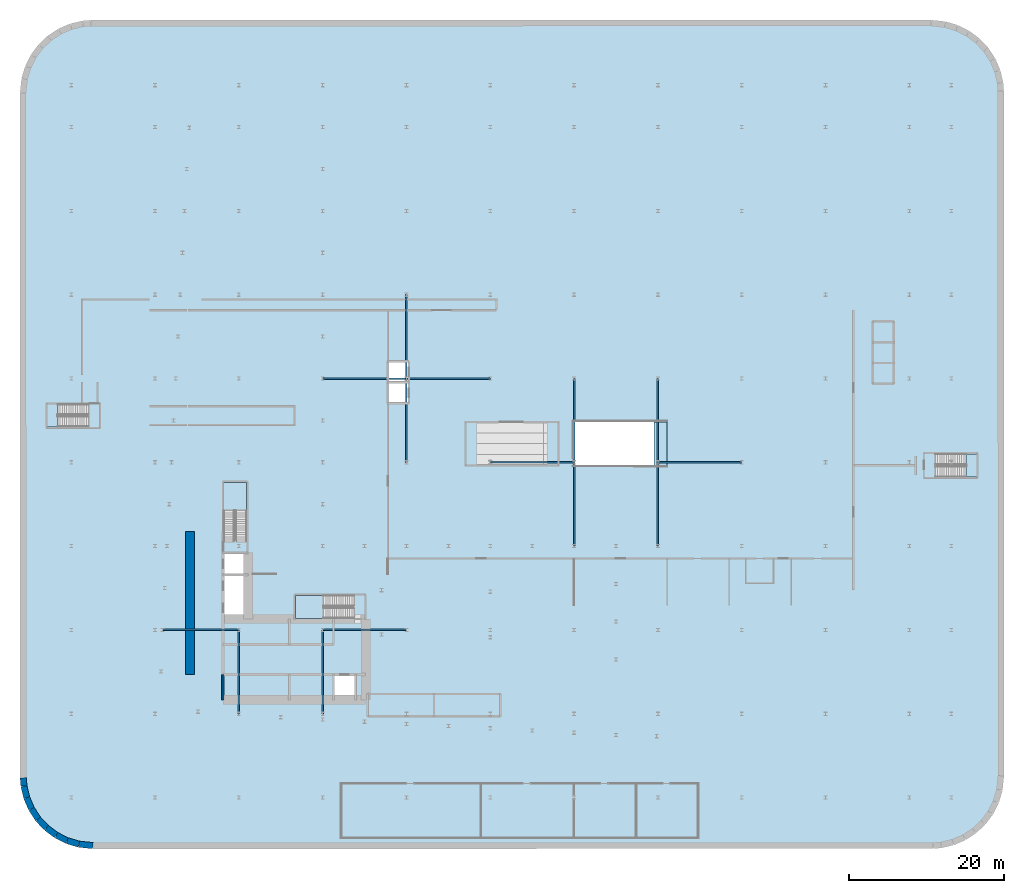
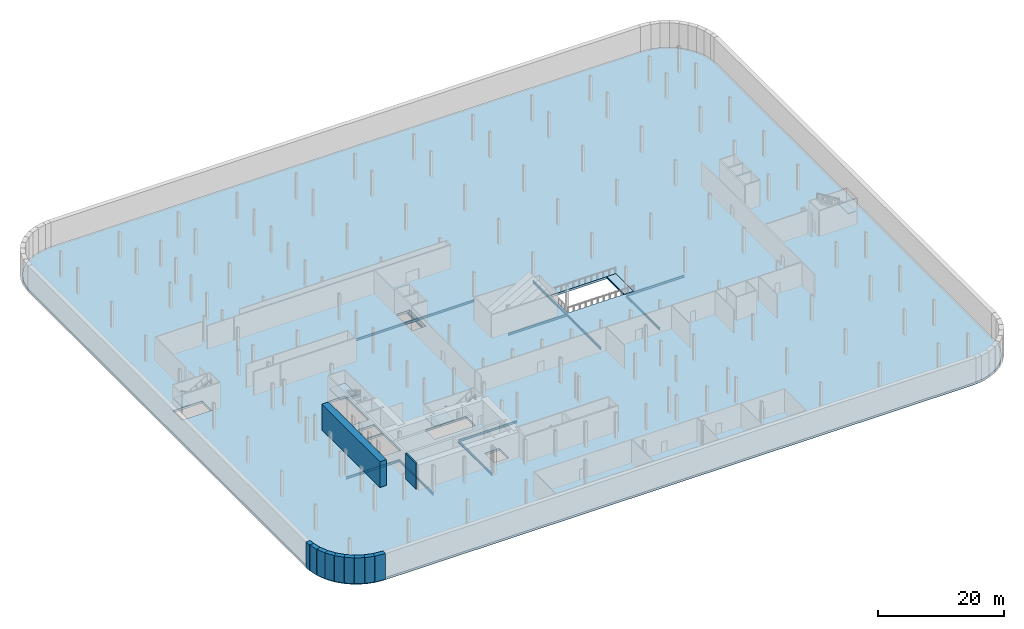
# One storey, part 5 of 19: 14 beams, 11 walls, 6 slabs, 4 elements without a shape of their own.
"""IFC4 building model written with IfcOpenShell, lengths in metres."""

from ifc_helpers import new_model, si_unit, direction, frame, frame_2d, origin, origin_2d, place, context, subcontext, project, spatial, polyline, rectangle, i_section, outline, extrude, material, layer, layer_set, material_profile, profile_set, type_object, element, aggregate, save


model = new_model("IFC4")

# Units and contexts
model_context = context("Model", 3, precision=1e-05, world=origin(), true_north=direction((0.0, 1.0)))
body_context = subcontext(model_context, "Body", "Model", "MODEL_VIEW")
ifc_project = project(units=[si_unit("LENGTHUNIT", "METRE"), si_unit("AREAUNIT", "SQUARE_METRE"), si_unit("VOLUMEUNIT", "CUBIC_METRE"), si_unit("PLANEANGLEUNIT", "RADIAN"), si_unit("MASSUNIT", "GRAM", prefix="KILO")], contexts=[model_context])

# Site, building, storey
site_placement = place(None, origin())
site = spatial("IfcSite", under=ifc_project, at=site_placement, CompositionType="ELEMENT")
building_placement = place(site_placement, origin())
building = spatial("IfcBuilding", under=site, at=building_placement, Name="Kheshtan School and Residences Tower", CompositionType="ELEMENT")
storey_placement = place(building_placement, frame((0.0, 0.0, -5.0)))
storey = spatial("IfcBuildingStorey", under=building, at=storey_placement, Name="B1", CompositionType="ELEMENT", Elevation=-5.0)

# Beams
ifc_material_1 = material(Name="Steel ASTM A992 Grade 50", Category="steel")
ifc_material_profile = material_profile(ifc_material_1, i_section(OverallWidth=0.194091796875, OverallDepth=0.468994140625, WebThickness=0.0126953125, FlangeThickness=0.0205078125, FilletRadius=0.01416015625, at=origin_2d()), Name="W460x106")
ifc_profile_set = profile_set([ifc_material_profile], Name="Steel ASTM A992 Grade 50")
beam_type = type_object("IfcBeamType", Name="Beam PB2 W460x106 ASTM A992 Grade 50", PredefinedType="BEAM", material=ifc_profile_set)
for number, where, z_axis, x_axis, name in (
    (1, (36.800048828125, 24.0, -0.654541015625), (0.0, 1.0, 0.0), (-1.0, 0.0, 0.0), "Podium floor beam PB2"),
    (2, (47.60009765625, 24.0, -0.654541015625), (0.0, 1.0, 0.0), (-1.0, 0.0, 0.0), "Podium floor beam PB2"),
    (3, (58.39990234375, 56.39990234375, -0.654541015625), (0.0, 1.0, 0.0), (-1.0, 0.0, 0.0), "Podium floor beam PB2"),
    (4, (58.39990234375, 67.199951171875, -0.654541015625), (0.0, 1.0, 0.0), (-1.0, 0.0, 0.0), "Podium floor beam PB2"),
):
    element("IfcBeam", number, at=place(storey_placement, frame(where, z_axis=z_axis, x_axis=x_axis)), inside=storey, type_object=beam_type, Name=name, PredefinedType="BEAM", context=body_context, shape_type="SweptSolid", body=[
        extrude(i_section(OverallWidth=0.194091796875, OverallDepth=0.468994140625, WebThickness=0.0126953125, FlangeThickness=0.0205078125, FilletRadius=0.01416015625, at=origin_2d()), origin(), (0.0, 0.0, 1.0), 10.800048828125),
    ])
beam_1_placement = place(storey_placement, frame((80.0, 45.60009765625, -0.654541015625), z_axis=(0.0, 1.0, 0.0), x_axis=(-1.0, 0.0, 0.0)))
element("IfcBeam", 5, at=beam_1_placement, inside=storey, type_object=beam_type, Name="Podium floor beam PB2", PredefinedType="BEAM", context=body_context, shape_type="SweptSolid", body=[
    extrude(i_section(OverallWidth=0.194091796875, OverallDepth=0.468994140625, WebThickness=0.0126953125, FlangeThickness=0.0205078125, FilletRadius=0.01416015625, at=origin_2d()), origin(), (0.0, 0.0, 1.0), 10.7998046875),
])
beam_2_placement = place(storey_placement, frame((80.0, 56.39990234375, -0.654541015625), z_axis=(0.0, 1.0, 0.0), x_axis=(-1.0, 0.0, 0.0)))
element("IfcBeam", 6, at=beam_2_placement, inside=storey, type_object=beam_type, Name="Podium floor beam PB2", PredefinedType="BEAM", context=body_context, shape_type="SweptSolid", body=[
    extrude(i_section(OverallWidth=0.194091796875, OverallDepth=0.468994140625, WebThickness=0.0126953125, FlangeThickness=0.0205078125, FilletRadius=0.01416015625, at=origin_2d()), origin(), (0.0, 0.0, 1.0), 10.800048828125),
])
beam_3_placement = place(storey_placement, frame((90.800048828125, 45.60009765625, -0.654541015625), z_axis=(0.0, 1.0, 0.0), x_axis=(-1.0, 0.0, 0.0)))
element("IfcBeam", 7, at=beam_3_placement, inside=storey, type_object=beam_type, Name="Podium floor beam PB2", PredefinedType="BEAM", context=body_context, shape_type="SweptSolid", body=[
    extrude(i_section(OverallWidth=0.194091796875, OverallDepth=0.468994140625, WebThickness=0.0126953125, FlangeThickness=0.0205078125, FilletRadius=0.01416015625, at=origin_2d()), origin(), (0.0, 0.0, 1.0), 10.7998046875),
])
beam_4_placement = place(storey_placement, frame((90.800048828125, 56.39990234375, -0.654541015625), z_axis=(0.0, 1.0, 0.0), x_axis=(-1.0, 0.0, 0.0)))
element("IfcBeam", 8, at=beam_4_placement, inside=storey, type_object=beam_type, Name="Podium floor beam PB2", PredefinedType="BEAM", context=body_context, shape_type="SweptSolid", body=[
    extrude(i_section(OverallWidth=0.194091796875, OverallDepth=0.468994140625, WebThickness=0.0126953125, FlangeThickness=0.0205078125, FilletRadius=0.01416015625, at=origin_2d()), origin(), (0.0, 0.0, 1.0), 10.800048828125),
])
beam_5_placement = place(storey_placement, frame((26.969970703125, 34.800048828125, -0.654541015625), z_axis=(1.0, 0.0, 0.0), x_axis=(0.0, 1.0, 0.0)))
element("IfcBeam", 9, at=beam_5_placement, inside=storey, type_object=beam_type, Name="Podium floor beam PB2", PredefinedType="BEAM", context=body_context, shape_type="SweptSolid", body=[
    extrude(i_section(OverallWidth=0.194091796875, OverallDepth=0.468994140625, WebThickness=0.0126953125, FlangeThickness=0.0205078125, FilletRadius=0.01416015625, at=origin_2d()), origin(), (0.0, 0.0, 1.0), 9.830078125),
])
beam_6_placement = place(storey_placement, frame((47.60009765625, 34.800048828125, -0.654541015625), z_axis=(1.0, 0.0, 0.0), x_axis=(0.0, 1.0, 0.0)))
element("IfcBeam", 10, at=beam_6_placement, inside=storey, type_object=beam_type, Name="Podium floor beam PB2", PredefinedType="BEAM", context=body_context, shape_type="SweptSolid", body=[
    extrude(i_section(OverallWidth=0.194091796875, OverallDepth=0.468994140625, WebThickness=0.0126953125, FlangeThickness=0.0205078125, FilletRadius=0.01416015625, at=origin_2d()), origin(), (0.0, 0.0, 1.0), 10.7998046875),
])
for number, where, z_axis, x_axis, name in (
    (11, (69.199951171875, 56.39990234375, -0.654541015625), (1.0, 0.0, 0.0), (0.0, 1.0, 0.0), "Podium floor beam PB2"),
    (12, (90.800048828125, 56.39990234375, -0.654541015625), (1.0, 0.0, 0.0), (0.0, 1.0, 0.0), "Podium floor beam PB2"),
):
    element("IfcBeam", number, at=place(storey_placement, frame(where, z_axis=z_axis, x_axis=x_axis)), inside=storey, type_object=beam_type, Name=name, PredefinedType="BEAM", context=body_context, shape_type="SweptSolid", body=[
        extrude(i_section(OverallWidth=0.194091796875, OverallDepth=0.468994140625, WebThickness=0.0126953125, FlangeThickness=0.0205078125, FilletRadius=0.01416015625, at=origin_2d()), origin(), (0.0, 0.0, 1.0), 10.800048828125),
    ])
beam_7_placement = place(storey_placement, frame((47.60009765625, 67.199951171875, -0.654541015625), z_axis=(1.0, 0.0, 0.0), x_axis=(0.0, 1.0, 0.0)))
element("IfcBeam", 13, at=beam_7_placement, inside=storey, type_object=beam_type, Name="Podium floor beam PB2", PredefinedType="BEAM", context=body_context, shape_type="SweptSolid", body=[
    extrude(i_section(OverallWidth=0.194091796875, OverallDepth=0.468994140625, WebThickness=0.0126953125, FlangeThickness=0.0205078125, FilletRadius=0.01416015625, at=origin_2d()), origin(), (0.0, 0.0, 1.0), 10.7998046875),
])
beam_8_placement = place(storey_placement, frame((58.39990234375, 67.199951171875, -0.654541015625), z_axis=(1.0, 0.0, 0.0), x_axis=(0.0, 1.0, 0.0)))
element("IfcBeam", 14, at=beam_8_placement, inside=storey, type_object=beam_type, Name="Podium floor beam PB2", PredefinedType="BEAM", context=body_context, shape_type="SweptSolid", body=[
    extrude(i_section(OverallWidth=0.194091796875, OverallDepth=0.468994140625, WebThickness=0.0126953125, FlangeThickness=0.0205078125, FilletRadius=0.01416015625, at=origin_2d()), origin(), (0.0, 0.0, 1.0), 10.800048828125),
])

# Slabs
ifc_material_2 = material(Name="Concrete C40/50", Category="concrete")
ifc_layer_1 = layer(ifc_material_2, 0.199951171875)
ifc_layer_set_1 = layer_set([ifc_layer_1], Name="Escalator landing plate 200 Concrete C40/50")
slab_type_1 = type_object("IfcSlabType", Name="Escalator landing plate 200 Concrete C40/50", PredefinedType="LANDING", material=ifc_layer_set_1)
slab_1_placement = place(storey_placement, frame((0.0, 0.0, -0.199951171875)))
element("IfcSlab", 15, at=slab_1_placement, inside=storey, type_object=slab_type_1, Name="Escalator landing plate B1", PredefinedType="LANDING", context=body_context, shape_type="SweptSolid", body=[
    extrude(outline(polyline([(90.330078125, 56.0), (92.0, 56.0), (92.0, 61.60009765625), (90.330078125, 61.60009765625), (90.330078125, 56.0)])), origin(), (0.0, 0.0, 1.0), 0.199951171875),
])
ifc_layer_2 = layer(ifc_material_2, 0.419921875)
ifc_layer_set_2 = layer_set([ifc_layer_2], Name="Floor slab 420 Concrete C40/50")
slab_type_2 = type_object("IfcSlabType", Name="Floor slab 420 Concrete C40/50", PredefinedType="FLOOR", material=ifc_layer_set_2)
slab_2_placement = place(storey_placement, frame((0.0, 0.0, -0.419921875)))
element("IfcSlab", 16, at=slab_2_placement, inside=storey, type_object=slab_type_2, Name="Floor slab B1", PredefinedType="FLOOR", context=body_context, shape_type="SweptSolid", body=[
    extrude(outline(polyline([(9.464111328125, 106.8291015625), (9.64306640625, 107.320068359375), (10.0849609375, 108.26806640625), (10.345947265625, 108.720947265625), (10.946044921875, 109.577880859375), (11.282958984375, 109.97802734375), (12.02197265625, 110.717041015625), (12.422119140625, 111.053955078125), (13.279052734375, 111.654052734375), (13.73193359375, 111.9150390625), (14.679931640625, 112.35693359375), (15.1708984375, 112.535888671875), (16.180908203125, 112.806884765625), (16.697021484375, 112.89794921875), (17.739013671875, 112.989013671875), (18.0, 113.0), (126.0, 113.0), (126.260986328125, 112.989013671875), (127.302978515625, 112.89794921875), (127.819091796875, 112.806884765625), (128.8291015625, 112.535888671875), (129.320068359375, 112.35693359375), (130.26806640625, 111.9150390625), (130.720947265625, 111.654052734375), (131.577880859375, 111.053955078125), (131.97802734375, 110.717041015625), (132.717041015625, 109.97802734375), (133.053955078125, 109.577880859375), (133.654052734375, 108.720947265625), (133.9150390625, 108.26806640625), (134.35693359375, 107.320068359375), (134.535888671875, 106.8291015625), (134.806884765625, 105.819091796875), (134.89794921875, 105.302978515625), (134.989013671875, 104.260986328125), (135.0, 104.0), (135.0, 16.0), (134.989013671875, 15.739013671875), (134.89794921875, 14.697021484375), (134.806884765625, 14.180908203125), (134.535888671875, 13.1708984375), (134.35693359375, 12.679931640625), (133.9150390625, 11.73193359375), (133.654052734375, 11.279052734375), (133.053955078125, 10.422119140625), (132.717041015625, 10.02197265625), (131.97802734375, 9.282958984375), (131.577880859375, 8.946044921875), (130.720947265625, 8.345947265625), (130.26806640625, 8.0849609375), (129.320068359375, 7.64306640625), (128.8291015625, 7.464111328125), (127.819091796875, 7.193115234375), (127.302978515625, 7.10205078125), (126.260986328125, 7.010986328125), (126.0, 7.0), (18.0, 7.0), (17.739013671875, 7.010986328125), (16.697021484375, 7.10205078125), (16.180908203125, 7.193115234375), (15.1708984375, 7.464111328125), (14.679931640625, 7.64306640625), (13.73193359375, 8.0849609375), (13.279052734375, 8.345947265625), (12.422119140625, 8.946044921875), (12.02197265625, 9.282958984375), (11.282958984375, 10.02197265625), (10.946044921875, 10.422119140625), (10.345947265625, 11.279052734375), (10.0849609375, 11.73193359375), (9.64306640625, 12.679931640625), (9.464111328125, 13.1708984375), (9.193115234375, 14.180908203125), (9.10205078125, 14.697021484375), (9.010986328125, 15.739013671875), (9.0, 16.0), (9.0, 104.0), (9.010986328125, 104.260986328125), (9.10205078125, 105.302978515625), (9.193115234375, 105.819091796875), (9.464111328125, 106.8291015625)]), holes=[polyline([(51.72509765625, 28.925048828125), (49.125, 28.925048828125), (49.125, 25.925048828125), (51.72509765625, 25.925048828125), (51.72509765625, 28.925048828125)]), polyline([(51.64990234375, 37.699951171875), (51.64990234375, 39.25), (44.090087890625, 39.25), (44.090087890625, 36.300048828125), (51.639892578125, 36.300048828125), (51.639892578125, 37.699951171875), (51.64990234375, 37.699951171875)]), polyline([(37.875, 41.77490234375), (34.875, 41.77490234375), (34.875, 36.324951171875), (37.875, 36.324951171875), (37.875, 41.77490234375)]), polyline([(37.875, 44.625), (34.875, 44.625), (34.875, 42.02490234375), (37.875, 42.02490234375), (37.875, 44.625)]), polyline([(37.800048828125, 53.81005859375), (34.85009765625, 53.81005859375), (34.85009765625, 46.260009765625), (36.25, 46.260009765625), (36.25, 46.25), (37.800048828125, 46.25), (37.800048828125, 53.81005859375)]), polyline([(92.0, 61.60009765625), (80.0, 61.60009765625), (80.0, 56.0), (92.0, 56.0), (92.0, 61.60009765625)]), polyline([(12.10009765625, 63.89990234375), (12.10009765625, 60.949951171875), (17.409912109375, 60.949951171875), (17.409912109375, 62.35009765625), (17.419921875, 62.35009765625), (17.419921875, 63.89990234375), (12.10009765625, 63.89990234375)]), polyline([(58.574951171875, 64.125), (58.574951171875, 66.574951171875), (56.125, 66.574951171875), (56.125, 64.125), (58.574951171875, 64.125)]), polyline([(58.574951171875, 66.824951171875), (58.574951171875, 69.27490234375), (56.125, 69.27490234375), (56.125, 66.824951171875), (58.574951171875, 66.824951171875)])]), origin(), (0.0, 0.0, 1.0), 0.419921875),
])

# Stair, slab
stair_type = type_object("IfcStairType", Name="Exit stair, half-turn", PredefinedType="HALF_TURN_STAIR", material=ifc_material_2)
stair_1_placement = place(storey_placement, origin())
stair_1 = element("IfcStair", 17, at=stair_1_placement, inside=storey, type_object=stair_type, Name="B1 Protected Exit Stair ST1", PredefinedType="HALF_TURN_STAIR")
ifc_layer_3 = layer(ifc_material_2, 0.199951171875)
ifc_layer_set_3 = layer_set([ifc_layer_3], Name="Stair landing 200 Concrete C40/50")
slab_type_3 = type_object("IfcSlabType", Name="Stair landing 200 Concrete C40/50", PredefinedType="LANDING", material=ifc_layer_set_3)
slab_3_placement = place(storey_placement, frame((0.0, 0.0, 2.300048828125)))
slab_3 = element("IfcSlab", 18, at=slab_3_placement, type_object=slab_type_3, Name="ST1 landing 1", PredefinedType="LANDING", context=body_context, shape_type="SweptSolid", body=[
    extrude(outline(polyline([(47.72998046875, 39.25), (44.090087890625, 39.25), (44.090087890625, 36.300048828125), (47.72998046875, 36.300048828125), (47.72998046875, 39.25)])), origin(), (0.0, 0.0, 1.0), 0.199951171875),
])
aggregate(stair_1, [slab_3])

stair_2_placement = place(storey_placement, origin())
stair_2 = element("IfcStair", 19, at=stair_2_placement, inside=storey, type_object=stair_type, Name="B1 Protected Exit Stair ST2", PredefinedType="HALF_TURN_STAIR")
slab_4_placement = place(storey_placement, frame((0.0, 0.0, 2.300048828125)))
slab_4 = element("IfcSlab", 20, at=slab_4_placement, type_object=slab_type_3, Name="ST2 landing 1", PredefinedType="LANDING", context=body_context, shape_type="SweptSolid", body=[
    extrude(outline(polyline([(37.800048828125, 50.169921875), (37.800048828125, 53.81005859375), (34.85009765625, 53.81005859375), (34.85009765625, 50.169921875), (37.800048828125, 50.169921875)])), origin(), (0.0, 0.0, 1.0), 0.199951171875),
])
aggregate(stair_2, [slab_4])

stair_3_placement = place(storey_placement, origin())
stair_3 = element("IfcStair", 21, at=stair_3_placement, inside=storey, type_object=stair_type, Name="B1 Station Stair east", PredefinedType="HALF_TURN_STAIR")
slab_5_placement = place(storey_placement, frame((0.0, 0.0, 2.300048828125)))
slab_5 = element("IfcSlab", 22, at=slab_5_placement, type_object=slab_type_3, Name="SS-east landing 1", PredefinedType="LANDING", context=body_context, shape_type="SweptSolid", body=[
    extrude(outline(polyline([(130.5, 54.5), (131.89990234375, 54.5), (131.89990234375, 57.5), (130.5, 57.5), (130.5, 54.5)])), origin(), (0.0, 0.0, 1.0), 0.199951171875),
])
aggregate(stair_3, [slab_5])

stair_4_placement = place(storey_placement, origin())
stair_4 = element("IfcStair", 23, at=stair_4_placement, inside=storey, type_object=stair_type, Name="B1 Station Stair west", PredefinedType="HALF_TURN_STAIR")
slab_6_placement = place(storey_placement, frame((0.0, 0.0, 2.300048828125)))
slab_6 = element("IfcSlab", 24, at=slab_6_placement, type_object=slab_type_3, Name="SS-west landing 1", PredefinedType="LANDING", context=body_context, shape_type="SweptSolid", body=[
    extrude(outline(polyline([(13.5, 63.89990234375), (12.10009765625, 63.89990234375), (12.10009765625, 60.949951171875), (13.5, 60.949951171875), (13.5, 63.89990234375)])), origin(), (0.0, 0.0, 1.0), 0.199951171875),
])
aggregate(stair_4, [slab_6])

# Walls
ifc_material_3 = material(Name="Concrete C35/45", Category="concrete")
ifc_layer_4 = layer(ifc_material_3, 0.800048828125)
ifc_layer_set_4 = layer_set([ifc_layer_4], Name="Basement wall 800 Concrete C35/45")
wall_type_1 = type_object("IfcWallType", Name="Basement wall 800 Concrete C35/45", PredefinedType="SOLIDWALL", material=ifc_layer_set_4)
wall_1_placement = place(storey_placement, frame((18.0, 7.0, 0.0), z_axis=(0.0, 0.0, 1.0), x_axis=(-0.994412187849, 0.105567043429, 0.0)))
element("IfcWall", 25, at=wall_1_placement, inside=storey, type_object=wall_type_1, Name="Secant pile wall 31", PredefinedType="SOLIDWALL", context=body_context, shape_type="SweptSolid", body=[
    extrude(rectangle(XDim=1.829345703125, YDim=0.800048828125, at=frame_2d((0.91455078125, 0.0))), origin(), (0.0, 0.0, 1.0), 5.0),
])
wall_2_placement = place(storey_placement, frame((16.180908203125, 7.193115234375, 0.0), z_axis=(0.0, 0.0, 1.0), x_axis=(-0.957886299092, 0.287147763375, 0.0)))
element("IfcWall", 26, at=wall_2_placement, inside=storey, type_object=wall_type_1, Name="Secant pile wall 32", PredefinedType="SOLIDWALL", context=body_context, shape_type="SweptSolid", body=[
    extrude(rectangle(XDim=1.56689453125, YDim=0.800048828125, at=frame_2d((0.783447265625, 0.0))), origin(), (0.0, 0.0, 1.0), 5.0),
])
wall_3_placement = place(storey_placement, frame((14.679931640625, 7.64306640625, 0.0), z_axis=(0.0, 0.0, 1.0), x_axis=(-0.893803246399, 0.448459314462, 0.0)))
element("IfcWall", 27, at=wall_3_placement, inside=storey, type_object=wall_type_1, Name="Secant pile wall 33", PredefinedType="SOLIDWALL", context=body_context, shape_type="SweptSolid", body=[
    extrude(rectangle(XDim=1.5673828125, YDim=0.800048828125, at=frame_2d((0.78369140625, 0.0))), origin(), (0.0, 0.0, 1.0), 5.0),
])
wall_4_placement = place(storey_placement, frame((13.279052734375, 8.345947265625, 0.0), z_axis=(0.0, 0.0, 1.0), x_axis=(-0.801771638905, 0.597630520512, 0.0)))
element("IfcWall", 28, at=wall_4_placement, inside=storey, type_object=wall_type_1, Name="Secant pile wall 34", PredefinedType="SOLIDWALL", context=body_context, shape_type="SweptSolid", body=[
    extrude(rectangle(XDim=1.56787109375, YDim=0.800048828125, at=frame_2d((0.783935546875, 0.0))), origin(), (0.0, 0.0, 1.0), 5.0),
])
wall_5_placement = place(storey_placement, frame((12.02197265625, 9.282958984375, 0.0), z_axis=(0.0, 0.0, 1.0), x_axis=(-0.686641833089, 0.726995868662, 0.0)))
element("IfcWall", 29, at=wall_5_placement, inside=storey, type_object=wall_type_1, Name="Secant pile wall 35", PredefinedType="SOLIDWALL", context=body_context, shape_type="SweptSolid", body=[
    extrude(rectangle(XDim=1.56689453125, YDim=0.800048828125, at=frame_2d((0.783447265625, 0.0))), origin(), (0.0, 0.0, 1.0), 5.0),
])
wall_6_placement = place(storey_placement, frame((10.946044921875, 10.422119140625, 0.0), z_axis=(0.0, 0.0, 1.0), x_axis=(-0.549333272834, 0.835603348101, 0.0)))
element("IfcWall", 30, at=wall_6_placement, inside=storey, type_object=wall_type_1, Name="Secant pile wall 36", PredefinedType="SOLIDWALL", context=body_context, shape_type="SweptSolid", body=[
    extrude(rectangle(XDim=1.567626953125, YDim=0.800048828125, at=frame_2d((0.78369140625, 0.0))), origin(), (0.0, 0.0, 1.0), 5.0),
])
wall_7_placement = place(storey_placement, frame((10.0849609375, 11.73193359375, 0.0), z_axis=(0.0, 0.0, 1.0), x_axis=(-0.396155493925, 0.918183437355, 0.0)))
element("IfcWall", 31, at=wall_7_placement, inside=storey, type_object=wall_type_1, Name="Secant pile wall 37", PredefinedType="SOLIDWALL", context=body_context, shape_type="SweptSolid", body=[
    extrude(rectangle(XDim=1.567138671875, YDim=0.800048828125, at=frame_2d((0.78369140625, 0.0))), origin(), (0.0, 0.0, 1.0), 5.0),
])
wall_8_placement = place(storey_placement, frame((9.464111328125, 13.1708984375, 0.0), z_axis=(0.0, 0.0, 1.0), x_axis=(-0.230834833469, 0.972992949439, 0.0)))
element("IfcWall", 32, at=wall_8_placement, inside=storey, type_object=wall_type_1, Name="Secant pile wall 38", PredefinedType="SOLIDWALL", context=body_context, shape_type="SweptSolid", body=[
    extrude(rectangle(XDim=1.568603515625, YDim=0.800048828125, at=frame_2d((0.7841796875, 0.0))), origin(), (0.0, 0.0, 1.0), 5.0),
])
wall_9_placement = place(storey_placement, frame((9.10205078125, 14.697021484375, 0.0), z_axis=(0.0, 0.0, 1.0), x_axis=(-0.087062712427, 0.996202832813, 0.0)))
element("IfcWall", 33, at=wall_9_placement, inside=storey, type_object=wall_type_1, Name="Secant pile wall 39", PredefinedType="SOLIDWALL", context=body_context, shape_type="SweptSolid", body=[
    extrude(rectangle(XDim=1.0458984375, YDim=0.800048828125, at=frame_2d((0.52294921875, 0.0))), origin(), (0.0, 0.0, 1.0), 5.0),
])
ifc_material_4 = material(Name="Concrete C80/95", Category="concrete")
ifc_layer_5 = layer(ifc_material_4, 1.199951171875)
ifc_layer_set_5 = layer_set([ifc_layer_5], Name="Core wall 1200 Concrete C80/95")
wall_type_2 = type_object("IfcWallType", Name="Core wall 1200 Concrete C80/95", PredefinedType="SHEAR", material=ifc_layer_set_5)
wall_10_placement = place(storey_placement, frame((30.5, 29.050048828125, 0.0), z_axis=(0.0, 0.0, 1.0), x_axis=(0.0, 1.0, 0.0)))
element("IfcWall", 34, at=wall_10_placement, inside=storey, type_object=wall_type_2, Name="Core wall CW-REAR-W", PredefinedType="SHEAR", context=body_context, shape_type="SweptSolid", body=[
    extrude(rectangle(XDim=18.449951171875, YDim=1.199951171875, at=frame_2d((9.22509765625, 0.0))), origin(), (0.0, 0.0, 1.0), 5.0),
])
ifc_material_5 = material(Name="Fire-board shaft wall system")
ifc_layer_6 = layer(ifc_material_5, 0.25)
ifc_layer_set_6 = layer_set([ifc_layer_6], Name="Shaft lining wall 250")
wall_type_3 = type_object("IfcWallType", Name="Shaft lining wall 250", PredefinedType="PARTITIONING", material=ifc_layer_set_6)
wall_11_placement = place(storey_placement, frame((34.75, 25.800048828125, 0.0), z_axis=(0.0, 0.0, 1.0), x_axis=(0.0, 1.0, 0.0)))
element("IfcWall", 35, at=wall_11_placement, inside=storey, type_object=wall_type_3, Name="Shaft lining wall", PredefinedType="PARTITIONING", context=body_context, shape_type="SweptSolid", body=[
    extrude(rectangle(XDim=3.25, YDim=0.25, at=frame_2d((1.625, 0.0))), origin(), (0.0, 0.0, 1.0), 5.0),
])

save(model, "model.ifc")
